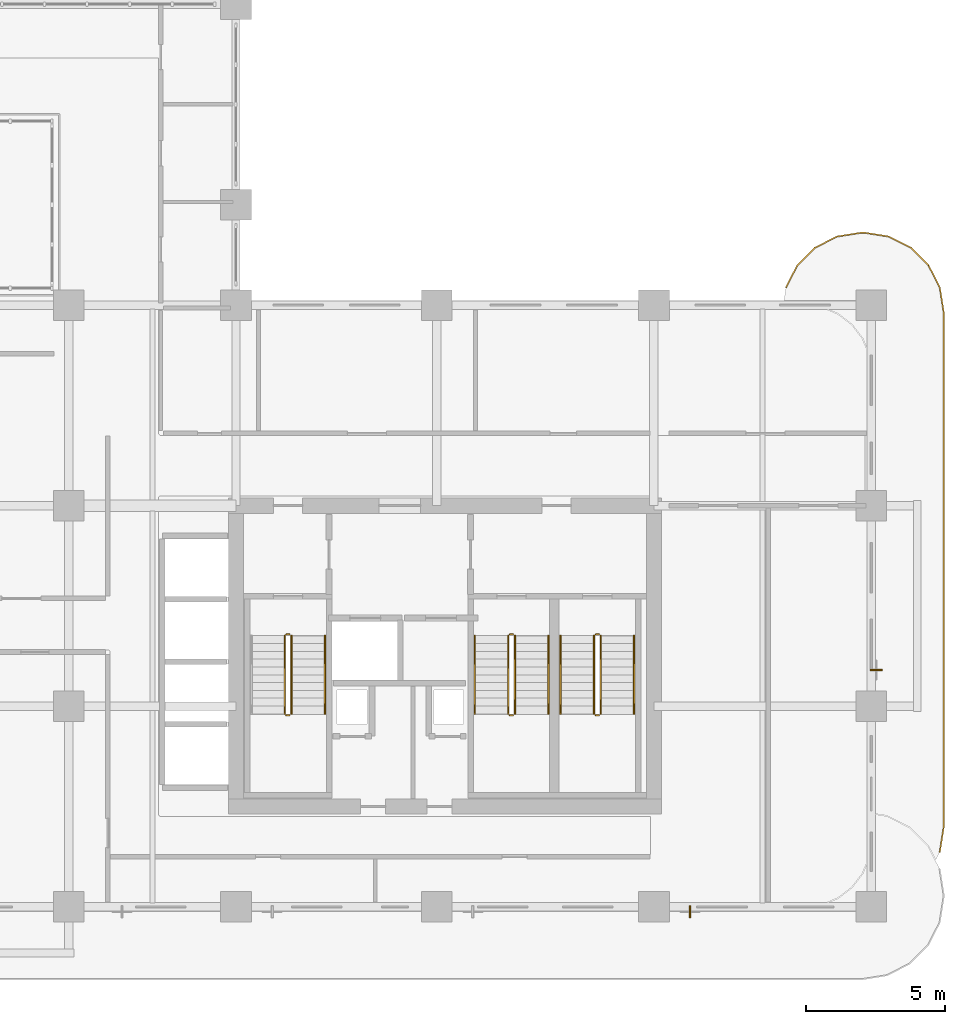
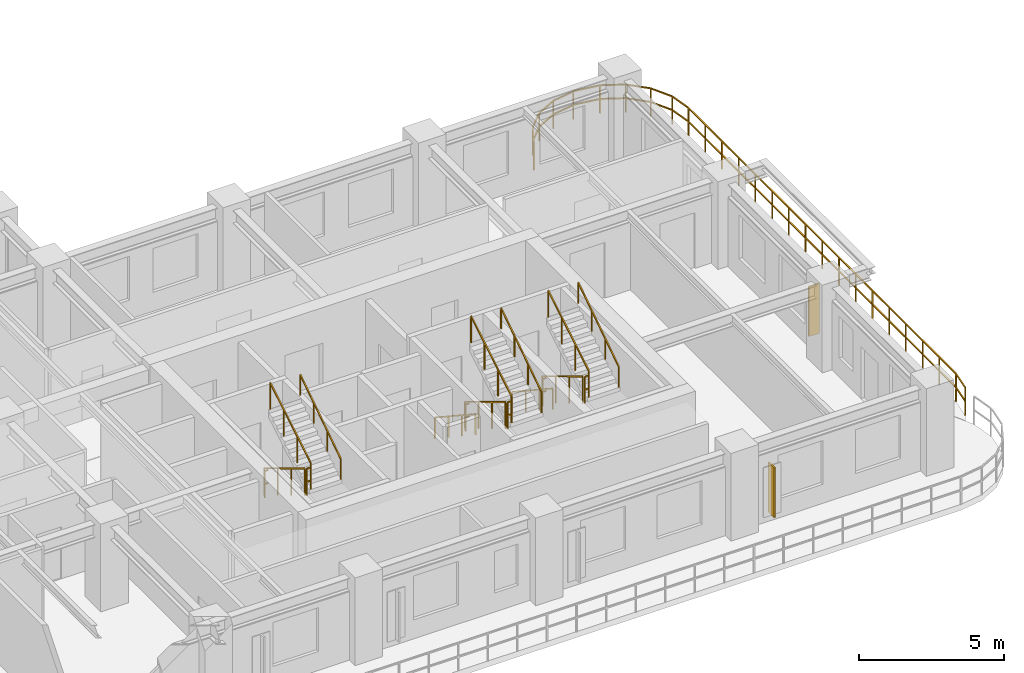
# One storey, part 20 of 22: 18 railings, 2 shading devices.
"""IFC4 building model written with IfcOpenShell, lengths in metres."""

from ifc_helpers import new_model, si_unit, derived_unit, direction, frame, origin, origin_2d, place, context, subcontext, project, spatial, rectangle, extrude, source, transform, mapped, material, layer, layer_set, type_object, type_shapes, element, save


model = new_model("IFC4")

# Units and contexts
model_context = context("Model", 3, precision=1e-05, world=origin(), true_north=direction((0.0, 1.0)))
body_context = subcontext(model_context, "Body", "Model", "MODEL_VIEW")
ifc_project = project(units=[si_unit("LENGTHUNIT", "METRE"), si_unit("AREAUNIT", "SQUARE_METRE"), si_unit("VOLUMEUNIT", "CUBIC_METRE"), si_unit("PLANEANGLEUNIT", "RADIAN"), si_unit("MASSUNIT", "GRAM", prefix="KILO"), si_unit("THERMODYNAMICTEMPERATUREUNIT", "KELVIN"), si_unit("POWERUNIT", "WATT"), derived_unit("THERMALTRANSMITTANCEUNIT", [(si_unit("POWERUNIT", "WATT"), 1), (si_unit("AREAUNIT", "SQUARE_METRE"), -1), (si_unit("THERMODYNAMICTEMPERATUREUNIT", "KELVIN"), -1)])], contexts=[model_context])

# Site, building, storey
site_placement = place(None, origin())
site = spatial("IfcSite", under=ifc_project, at=site_placement, CompositionType="ELEMENT")
building_placement = place(site_placement, origin())
building = spatial("IfcBuilding", under=site, at=building_placement, Name="Zahravan Archway Hotel and Residences", CompositionType="ELEMENT")
storey_placement = place(building_placement, frame((0.0, 0.0, 99.0)))
storey = spatial("IfcBuildingStorey", under=building, at=storey_placement, Name="L24", CompositionType="ELEMENT", Elevation=99.0)

# Railings
ifc_material_1 = material(Name="Bronze & Laminated Glass Balustrade", Category="glass")
railing_type_1 = type_object("IfcRailingType", Name="RL-BAL-1200", PredefinedType="BALUSTRADE", material=ifc_material_1)
railing_1_placement = place(storey_placement, frame((54.53955078125, 22.230712890625, 0.0)))
element("IfcRailing", 1, at=railing_1_placement, inside=storey, type_object=railing_type_1, Name="L24 Balustrade RL-SLB-BAL-L24-EA-1", PredefinedType="BALUSTRADE", context=body_context, shape_type="SweptSolid", body=[
    extrude(rectangle(XDim=0.048095703125, YDim=0.048095703125, at=origin_2d()), frame((0.0, 0.0, 1.17578125), z_axis=(0.453991409995, 0.891006060389, 0.0), x_axis=(-0.891006060389, 0.453991409995, 0.0)), (0.0, 0.0, 1.0), 0.8916015625),
    extrude(rectangle(XDim=0.048095703125, YDim=0.048095703125, at=origin_2d()), frame((0.0, 0.0, 0.60009765625), z_axis=(0.453991409995, 0.891006060389, 0.0), x_axis=(-0.891006060389, 0.453991409995, 0.0)), (0.0, 0.0, 1.0), 0.8916015625),
    extrude(rectangle(XDim=0.048095703125, YDim=0.048095703125, at=origin_2d()), frame((0.40478515625, 0.79443359375, 1.17578125), z_axis=(0.706969864397, 0.70724367147, 0.0), x_axis=(-0.70724367147, 0.706969864397, 0.0)), (0.0, 0.0, 1.0), 0.8916015625),
    extrude(rectangle(XDim=0.048095703125, YDim=0.048095703125, at=origin_2d()), frame((0.40478515625, 0.79443359375, 0.60009765625), z_axis=(0.706969864397, 0.70724367147, 0.0), x_axis=(-0.70724367147, 0.706969864397, 0.0)), (0.0, 0.0, 1.0), 0.8916015625),
    extrude(rectangle(XDim=0.048095703125, YDim=0.048095703125, at=origin_2d()), frame((1.03515625, 1.425048828125, 1.17578125), z_axis=(0.891062476022, 0.45388067135, 0.0), x_axis=(-0.45388067135, 0.891062476022, 0.0)), (0.0, 0.0, 1.0), 0.891845703125),
    extrude(rectangle(XDim=0.048095703125, YDim=0.048095703125, at=origin_2d()), frame((1.03515625, 1.425048828125, 0.60009765625), z_axis=(0.891062476022, 0.45388067135, 0.0), x_axis=(-0.45388067135, 0.891062476022, 0.0)), (0.0, 0.0, 1.0), 0.891845703125),
    extrude(rectangle(XDim=0.048095703125, YDim=0.048095703125, at=origin_2d()), frame((1.829833984375, 1.829833984375, 1.17578125), z_axis=(0.987700720307, 0.156356282588, 0.0), x_axis=(-0.156356282588, 0.987700720307, 0.0)), (0.0, 0.0, 1.0), 0.8916015625),
    extrude(rectangle(XDim=0.048095703125, YDim=0.048095703125, at=origin_2d()), frame((1.829833984375, 1.829833984375, 0.60009765625), z_axis=(0.987700720307, 0.156356282588, 0.0), x_axis=(-0.156356282588, 0.987700720307, 0.0)), (0.0, 0.0, 1.0), 0.8916015625),
    extrude(rectangle(XDim=0.048095703125, YDim=0.048095703125, at=origin_2d()), frame((2.71044921875, 1.96923828125, 1.17578125), z_axis=(1.0, 0.0, 0.0), x_axis=(0.0, 1.0, 0.0)), (0.0, 0.0, 1.0), 0.10009765625),
    extrude(rectangle(XDim=0.048095703125, YDim=0.048095703125, at=origin_2d()), frame((2.71044921875, 1.96923828125, 0.60009765625), z_axis=(1.0, 0.0, 0.0), x_axis=(0.0, 1.0, 0.0)), (0.0, 0.0, 1.0), 0.10009765625),
    extrude(rectangle(XDim=0.048095703125, YDim=0.048095703125, at=origin_2d()), frame((2.810546875, 1.96923828125, 1.17578125), z_axis=(0.987700720307, -0.156356282588, 0.0), x_axis=(0.156356282588, 0.987700720307, 0.0)), (0.0, 0.0, 1.0), 0.8916015625),
    extrude(rectangle(XDim=0.048095703125, YDim=0.048095703125, at=origin_2d()), frame((2.810546875, 1.96923828125, 0.60009765625), z_axis=(0.987700720307, -0.156356282588, 0.0), x_axis=(0.156356282588, 0.987700720307, 0.0)), (0.0, 0.0, 1.0), 0.8916015625),
    extrude(rectangle(XDim=0.048095703125, YDim=0.048095703125, at=origin_2d()), frame((3.691162109375, 1.829833984375, 1.17578125), z_axis=(0.891006060389, -0.453991409995, 0.0), x_axis=(0.453991409995, 0.891006060389, 0.0)), (0.0, 0.0, 1.0), 0.8916015625),
    extrude(rectangle(XDim=0.048095703125, YDim=0.048095703125, at=origin_2d()), frame((3.691162109375, 1.829833984375, 0.60009765625), z_axis=(0.891006060389, -0.453991409995, 0.0), x_axis=(0.453991409995, 0.891006060389, 0.0)), (0.0, 0.0, 1.0), 0.8916015625),
    extrude(rectangle(XDim=0.048095703125, YDim=0.048095703125, at=origin_2d()), frame((4.485595703125, 1.425048828125, 1.17578125), z_axis=(0.707106781187, -0.707106781187, 0.0), x_axis=(0.707106781187, 0.707106781187, 0.0)), (0.0, 0.0, 1.0), 0.891845703125),
    extrude(rectangle(XDim=0.048095703125, YDim=0.048095703125, at=origin_2d()), frame((4.485595703125, 1.425048828125, 0.60009765625), z_axis=(0.707106781187, -0.707106781187, 0.0), x_axis=(0.707106781187, 0.707106781187, 0.0)), (0.0, 0.0, 1.0), 0.891845703125),
    extrude(rectangle(XDim=0.048095703125, YDim=0.048095703125, at=origin_2d()), frame((5.1162109375, 0.79443359375, 1.17578125), z_axis=(0.453991409995, -0.891006060389, 0.0), x_axis=(0.891006060389, 0.453991409995, 0.0)), (0.0, 0.0, 1.0), 0.8916015625),
    extrude(rectangle(XDim=0.048095703125, YDim=0.048095703125, at=origin_2d()), frame((5.1162109375, 0.79443359375, 0.60009765625), z_axis=(0.453991409995, -0.891006060389, 0.0), x_axis=(0.891006060389, 0.453991409995, 0.0)), (0.0, 0.0, 1.0), 0.8916015625),
    extrude(rectangle(XDim=0.048095703125, YDim=0.048095703125, at=origin_2d()), frame((5.52099609375, 0.0, 1.17578125), z_axis=(0.156356282588, -0.987700720307, 0.0), x_axis=(0.987700720307, 0.156356282588, 0.0)), (0.0, 0.0, 1.0), 0.8916015625),
    extrude(rectangle(XDim=0.048095703125, YDim=0.048095703125, at=origin_2d()), frame((5.52099609375, 0.0, 0.60009765625), z_axis=(0.156356282588, -0.987700720307, 0.0), x_axis=(0.987700720307, 0.156356282588, 0.0)), (0.0, 0.0, 1.0), 0.8916015625),
    extrude(rectangle(XDim=0.048095703125, YDim=0.048095703125, at=origin_2d()), frame((5.660400390625, -0.880615234375, 1.17578125), z_axis=(0.0, -1.0, 0.0), x_axis=(1.0, 0.0, 0.0)), (0.0, 0.0, 1.0), 18.5),
    extrude(rectangle(XDim=0.048095703125, YDim=0.048095703125, at=origin_2d()), frame((5.660400390625, -0.880615234375, 0.60009765625), z_axis=(0.0, -1.0, 0.0), x_axis=(1.0, 0.0, 0.0)), (0.0, 0.0, 1.0), 18.5),
    extrude(rectangle(XDim=0.048095703125, YDim=0.048095703125, at=origin_2d()), frame((5.660400390625, -19.380615234375, 1.17578125), z_axis=(-0.156314005608, -0.987707411965, 0.0), x_axis=(0.987707411965, -0.156314005608, 0.0)), (0.0, 0.0, 1.0), 0.891845703125),
    extrude(rectangle(XDim=0.048095703125, YDim=0.048095703125, at=origin_2d()), frame((5.660400390625, -19.380615234375, 0.60009765625), z_axis=(-0.156314005608, -0.987707411965, 0.0), x_axis=(0.987707411965, -0.156314005608, 0.0)), (0.0, 0.0, 1.0), 0.891845703125),
    extrude(rectangle(XDim=0.0419921875, YDim=0.0419921875, at=origin_2d()), origin(), (0.0, 0.0, 1.0), 1.15185546875),
    extrude(rectangle(XDim=0.0419921875, YDim=0.0419921875, at=origin_2d()), frame((0.40478515625, 0.79443359375, 0.0)), (0.0, 0.0, 1.0), 1.15185546875),
    extrude(rectangle(XDim=0.0419921875, YDim=0.0419921875, at=origin_2d()), frame((1.03515625, 1.425048828125, 0.0)), (0.0, 0.0, 1.0), 1.15185546875),
    extrude(rectangle(XDim=0.0419921875, YDim=0.0419921875, at=origin_2d()), frame((1.829833984375, 1.829833984375, 0.0)), (0.0, 0.0, 1.0), 1.15185546875),
    extrude(rectangle(XDim=0.0419921875, YDim=0.0419921875, at=origin_2d()), frame((2.71044921875, 1.96923828125, 0.0)), (0.0, 0.0, 1.0), 1.15185546875),
    extrude(rectangle(XDim=0.0419921875, YDim=0.0419921875, at=origin_2d()), frame((3.691162109375, 1.829833984375, 0.0)), (0.0, 0.0, 1.0), 1.15185546875),
    extrude(rectangle(XDim=0.0419921875, YDim=0.0419921875, at=origin_2d()), frame((4.485595703125, 1.425048828125, 0.0)), (0.0, 0.0, 1.0), 1.15185546875),
    extrude(rectangle(XDim=0.0419921875, YDim=0.0419921875, at=origin_2d()), frame((5.1162109375, 0.79443359375, 0.0)), (0.0, 0.0, 1.0), 1.15185546875),
    extrude(rectangle(XDim=0.0419921875, YDim=0.0419921875, at=origin_2d()), frame((5.52099609375, 0.0, 0.0)), (0.0, 0.0, 1.0), 1.15185546875),
    extrude(rectangle(XDim=0.0419921875, YDim=0.0419921875, at=origin_2d()), frame((5.660400390625, -0.880615234375, 0.0)), (0.0, 0.0, 1.0), 1.15185546875),
    extrude(rectangle(XDim=0.0419921875, YDim=0.0419921875, at=origin_2d()), frame((5.660400390625, -2.036865234375, 0.0)), (0.0, 0.0, 1.0), 1.15185546875),
    extrude(rectangle(XDim=0.0419921875, YDim=0.0419921875, at=origin_2d()), frame((5.660400390625, -3.193115234375, 0.0)), (0.0, 0.0, 1.0), 1.15185546875),
    extrude(rectangle(XDim=0.0419921875, YDim=0.0419921875, at=origin_2d()), frame((5.660400390625, -4.349365234375, 0.0)), (0.0, 0.0, 1.0), 1.15185546875),
    extrude(rectangle(XDim=0.0419921875, YDim=0.0419921875, at=origin_2d()), frame((5.660400390625, -5.505615234375, 0.0)), (0.0, 0.0, 1.0), 1.15185546875),
    extrude(rectangle(XDim=0.0419921875, YDim=0.0419921875, at=origin_2d()), frame((5.660400390625, -6.661865234375, 0.0)), (0.0, 0.0, 1.0), 1.15185546875),
    extrude(rectangle(XDim=0.0419921875, YDim=0.0419921875, at=origin_2d()), frame((5.660400390625, -7.818115234375, 0.0)), (0.0, 0.0, 1.0), 1.15185546875),
    extrude(rectangle(XDim=0.0419921875, YDim=0.0419921875, at=origin_2d()), frame((5.660400390625, -8.974365234375, 0.0)), (0.0, 0.0, 1.0), 1.15185546875),
    extrude(rectangle(XDim=0.0419921875, YDim=0.0419921875, at=origin_2d()), frame((5.660400390625, -10.130615234375, 0.0)), (0.0, 0.0, 1.0), 1.15185546875),
    extrude(rectangle(XDim=0.0419921875, YDim=0.0419921875, at=origin_2d()), frame((5.660400390625, -11.286865234375, 0.0)), (0.0, 0.0, 1.0), 1.15185546875),
    extrude(rectangle(XDim=0.0419921875, YDim=0.0419921875, at=origin_2d()), frame((5.660400390625, -12.443115234375, 0.0)), (0.0, 0.0, 1.0), 1.15185546875),
    extrude(rectangle(XDim=0.0419921875, YDim=0.0419921875, at=origin_2d()), frame((5.660400390625, -13.599365234375, 0.0)), (0.0, 0.0, 1.0), 1.15185546875),
    extrude(rectangle(XDim=0.0419921875, YDim=0.0419921875, at=origin_2d()), frame((5.660400390625, -14.755615234375, 0.0)), (0.0, 0.0, 1.0), 1.15185546875),
    extrude(rectangle(XDim=0.0419921875, YDim=0.0419921875, at=origin_2d()), frame((5.660400390625, -15.911865234375, 0.0)), (0.0, 0.0, 1.0), 1.15185546875),
    extrude(rectangle(XDim=0.0419921875, YDim=0.0419921875, at=origin_2d()), frame((5.660400390625, -17.068115234375, 0.0)), (0.0, 0.0, 1.0), 1.15185546875),
    extrude(rectangle(XDim=0.0419921875, YDim=0.0419921875, at=origin_2d()), frame((5.660400390625, -18.224365234375, 0.0)), (0.0, 0.0, 1.0), 1.15185546875),
    extrude(rectangle(XDim=0.0419921875, YDim=0.0419921875, at=origin_2d()), frame((5.660400390625, -19.380615234375, 0.0)), (0.0, 0.0, 1.0), 1.15185546875),
    extrude(rectangle(XDim=0.0419921875, YDim=0.0419921875, at=origin_2d()), frame((5.52099609375, -20.261474609375, 0.0)), (0.0, 0.0, 1.0), 1.15185546875),
])
ifc_material_2 = material(Name="Painted Tubular Steel", Category="steel")
railing_type_2 = type_object("IfcRailingType", Name="RL-STG-1150", PredefinedType="GUARDRAIL", material=ifc_material_2)
railing_2_placement = place(storey_placement, frame((36.550048828125, 9.72998046875, 0.168212890625)))
element("IfcRailing", 2, at=railing_2_placement, inside=storey, type_object=railing_type_2, Name="L24 ST-A1 stair guard 1", PredefinedType="GUARDRAIL", context=body_context, shape_type="SweptSolid", body=[
    extrude(rectangle(XDim=0.048095703125, YDim=0.048095703125, at=origin_2d()), frame((0.0, 0.0, 1.1259765625), z_axis=(0.0, -0.857242210791, 0.514913383045), x_axis=(1.0, 0.0, 0.0)), (0.0, 0.0, 1.0), 3.266357421875),
    extrude(rectangle(XDim=0.0419921875, YDim=0.0419921875, at=origin_2d()), origin(), (0.0, 0.0, 1.0), 1.101806640625),
    extrude(rectangle(XDim=0.0419921875, YDim=0.0419921875, at=origin_2d()), frame((0.0, -0.933349609375, 0.560546875)), (0.0, 0.0, 1.0), 1.101806640625),
    extrude(rectangle(XDim=0.0419921875, YDim=0.0419921875, at=origin_2d()), frame((0.0, -1.86669921875, 1.121337890625)), (0.0, 0.0, 1.0), 1.101806640625),
    extrude(rectangle(XDim=0.0419921875, YDim=0.0419921875, at=origin_2d()), frame((0.0, -2.800048828125, 1.681884765625)), (0.0, 0.0, 1.0), 1.101806640625),
])
railing_3_placement = place(storey_placement, frame((36.60009765625, 6.8798828125, 1.85009765625)))
element("IfcRailing", 3, at=railing_3_placement, inside=storey, type_object=railing_type_2, Name="L24 ST-A1 stair guard 2", PredefinedType="GUARDRAIL", context=body_context, shape_type="SweptSolid", body=[
    extrude(rectangle(XDim=0.048095703125, YDim=0.048095703125, at=origin_2d()), frame((0.0, 0.0, 1.1259765625), z_axis=(1.0, 0.0, 0.0), x_axis=(0.0, 1.0, 0.0)), (0.0, 0.0, 1.0), 0.139892578125),
    extrude(rectangle(XDim=0.048095703125, YDim=0.048095703125, at=origin_2d()), frame((0.0, 0.0, 0.574951171875), z_axis=(1.0, 0.0, 0.0), x_axis=(0.0, 1.0, 0.0)), (0.0, 0.0, 1.0), 0.139892578125),
    extrude(rectangle(XDim=0.0419921875, YDim=0.0419921875, at=origin_2d()), origin(), (0.0, 0.0, 1.0), 1.101806640625),
])
railing_4_placement = place(storey_placement, frame((36.7900390625, 6.929931640625, 2.01806640625)))
element("IfcRailing", 4, at=railing_4_placement, inside=storey, type_object=railing_type_2, Name="L24 ST-A1 stair guard 3", PredefinedType="GUARDRAIL", context=body_context, shape_type="SweptSolid", body=[
    extrude(rectangle(XDim=0.048095703125, YDim=0.048095703125, at=origin_2d()), frame((0.0, 0.0, 1.1259765625), z_axis=(0.0, 0.857242210791, 0.514913383045), x_axis=(-1.0, 0.0, 0.0)), (0.0, 0.0, 1.0), 3.266357421875),
    extrude(rectangle(XDim=0.0419921875, YDim=0.0419921875, at=origin_2d()), origin(), (0.0, 0.0, 1.0), 1.101806640625),
    extrude(rectangle(XDim=0.0419921875, YDim=0.0419921875, at=origin_2d()), frame((0.0, 0.933349609375, 0.560546875)), (0.0, 0.0, 1.0), 1.101806640625),
    extrude(rectangle(XDim=0.0419921875, YDim=0.0419921875, at=origin_2d()), frame((0.0, 1.86669921875, 1.121337890625)), (0.0, 0.0, 1.0), 1.101806640625),
    extrude(rectangle(XDim=0.0419921875, YDim=0.0419921875, at=origin_2d()), frame((0.0, 2.800048828125, 1.681884765625)), (0.0, 0.0, 1.0), 1.101806640625),
])
railing_5_placement = place(storey_placement, frame((36.60009765625, 9.780029296875, 0.0)))
element("IfcRailing", 5, at=railing_5_placement, inside=storey, type_object=railing_type_2, Name="L24 ST-A1 stair guard 4", PredefinedType="GUARDRAIL", context=body_context, shape_type="SweptSolid", body=[
    extrude(rectangle(XDim=0.048095703125, YDim=0.048095703125, at=origin_2d()), frame((0.0, 0.0, 1.1259765625), z_axis=(1.0, 0.0, 0.0), x_axis=(0.0, 1.0, 0.0)), (0.0, 0.0, 1.0), 0.139892578125),
    extrude(rectangle(XDim=0.048095703125, YDim=0.048095703125, at=origin_2d()), frame((0.0, 0.0, 0.574951171875), z_axis=(1.0, 0.0, 0.0), x_axis=(0.0, 1.0, 0.0)), (0.0, 0.0, 1.0), 0.139892578125),
    extrude(rectangle(XDim=0.0419921875, YDim=0.0419921875, at=origin_2d()), origin(), (0.0, 0.0, 1.0), 1.101806640625),
])
railing_6_placement = place(storey_placement, frame((44.570068359375, 9.72998046875, 0.168212890625)))
element("IfcRailing", 6, at=railing_6_placement, inside=storey, type_object=railing_type_2, Name="L24 ST-A2 stair guard 1", PredefinedType="GUARDRAIL", context=body_context, shape_type="SweptSolid", body=[
    extrude(rectangle(XDim=0.048095703125, YDim=0.048095703125, at=origin_2d()), frame((0.0, 0.0, 1.1259765625), z_axis=(0.0, -0.857242210791, 0.514913383045), x_axis=(1.0, 0.0, 0.0)), (0.0, 0.0, 1.0), 3.266357421875),
    extrude(rectangle(XDim=0.0419921875, YDim=0.0419921875, at=origin_2d()), origin(), (0.0, 0.0, 1.0), 1.101806640625),
    extrude(rectangle(XDim=0.0419921875, YDim=0.0419921875, at=origin_2d()), frame((0.0, -0.933349609375, 0.560546875)), (0.0, 0.0, 1.0), 1.101806640625),
    extrude(rectangle(XDim=0.0419921875, YDim=0.0419921875, at=origin_2d()), frame((0.0, -1.86669921875, 1.121337890625)), (0.0, 0.0, 1.0), 1.101806640625),
    extrude(rectangle(XDim=0.0419921875, YDim=0.0419921875, at=origin_2d()), frame((0.0, -2.800048828125, 1.681884765625)), (0.0, 0.0, 1.0), 1.101806640625),
])
railing_7_placement = place(storey_placement, frame((44.6201171875, 6.8798828125, 1.85009765625)))
element("IfcRailing", 7, at=railing_7_placement, inside=storey, type_object=railing_type_2, Name="L24 ST-A2 stair guard 2", PredefinedType="GUARDRAIL", context=body_context, shape_type="SweptSolid", body=[
    extrude(rectangle(XDim=0.048095703125, YDim=0.048095703125, at=origin_2d()), frame((0.0, 0.0, 1.1259765625), z_axis=(1.0, 0.0, 0.0), x_axis=(0.0, 1.0, 0.0)), (0.0, 0.0, 1.0), 0.139892578125),
    extrude(rectangle(XDim=0.048095703125, YDim=0.048095703125, at=origin_2d()), frame((0.0, 0.0, 0.574951171875), z_axis=(1.0, 0.0, 0.0), x_axis=(0.0, 1.0, 0.0)), (0.0, 0.0, 1.0), 0.139892578125),
    extrude(rectangle(XDim=0.0419921875, YDim=0.0419921875, at=origin_2d()), origin(), (0.0, 0.0, 1.0), 1.101806640625),
])
railing_8_placement = place(storey_placement, frame((44.81005859375, 6.929931640625, 2.01806640625)))
element("IfcRailing", 8, at=railing_8_placement, inside=storey, type_object=railing_type_2, Name="L24 ST-A2 stair guard 3", PredefinedType="GUARDRAIL", context=body_context, shape_type="SweptSolid", body=[
    extrude(rectangle(XDim=0.048095703125, YDim=0.048095703125, at=origin_2d()), frame((0.0, 0.0, 1.1259765625), z_axis=(0.0, 0.857242210791, 0.514913383045), x_axis=(-1.0, 0.0, 0.0)), (0.0, 0.0, 1.0), 3.266357421875),
    extrude(rectangle(XDim=0.0419921875, YDim=0.0419921875, at=origin_2d()), origin(), (0.0, 0.0, 1.0), 1.101806640625),
    extrude(rectangle(XDim=0.0419921875, YDim=0.0419921875, at=origin_2d()), frame((0.0, 0.933349609375, 0.560546875)), (0.0, 0.0, 1.0), 1.101806640625),
    extrude(rectangle(XDim=0.0419921875, YDim=0.0419921875, at=origin_2d()), frame((0.0, 1.86669921875, 1.121337890625)), (0.0, 0.0, 1.0), 1.101806640625),
    extrude(rectangle(XDim=0.0419921875, YDim=0.0419921875, at=origin_2d()), frame((0.0, 2.800048828125, 1.681884765625)), (0.0, 0.0, 1.0), 1.101806640625),
])
railing_9_placement = place(storey_placement, frame((44.6201171875, 9.780029296875, 0.0)))
element("IfcRailing", 9, at=railing_9_placement, inside=storey, type_object=railing_type_2, Name="L24 ST-A2 stair guard 4", PredefinedType="GUARDRAIL", context=body_context, shape_type="SweptSolid", body=[
    extrude(rectangle(XDim=0.048095703125, YDim=0.048095703125, at=origin_2d()), frame((0.0, 0.0, 1.1259765625), z_axis=(1.0, 0.0, 0.0), x_axis=(0.0, 1.0, 0.0)), (0.0, 0.0, 1.0), 0.139892578125),
    extrude(rectangle(XDim=0.048095703125, YDim=0.048095703125, at=origin_2d()), frame((0.0, 0.0, 0.574951171875), z_axis=(1.0, 0.0, 0.0), x_axis=(0.0, 1.0, 0.0)), (0.0, 0.0, 1.0), 0.139892578125),
    extrude(rectangle(XDim=0.0419921875, YDim=0.0419921875, at=origin_2d()), origin(), (0.0, 0.0, 1.0), 1.101806640625),
])
railing_10_placement = place(storey_placement, frame((47.64990234375, 9.72998046875, 0.168212890625)))
element("IfcRailing", 10, at=railing_10_placement, inside=storey, type_object=railing_type_2, Name="L24 ST-A3 stair guard 1", PredefinedType="GUARDRAIL", context=body_context, shape_type="SweptSolid", body=[
    extrude(rectangle(XDim=0.048095703125, YDim=0.048095703125, at=origin_2d()), frame((0.0, 0.0, 1.1259765625), z_axis=(0.0, -0.857242210791, 0.514913383045), x_axis=(1.0, 0.0, 0.0)), (0.0, 0.0, 1.0), 3.266357421875),
    extrude(rectangle(XDim=0.0419921875, YDim=0.0419921875, at=origin_2d()), origin(), (0.0, 0.0, 1.0), 1.101806640625),
    extrude(rectangle(XDim=0.0419921875, YDim=0.0419921875, at=origin_2d()), frame((0.0, -0.933349609375, 0.560546875)), (0.0, 0.0, 1.0), 1.101806640625),
    extrude(rectangle(XDim=0.0419921875, YDim=0.0419921875, at=origin_2d()), frame((0.0, -1.86669921875, 1.121337890625)), (0.0, 0.0, 1.0), 1.101806640625),
    extrude(rectangle(XDim=0.0419921875, YDim=0.0419921875, at=origin_2d()), frame((0.0, -2.800048828125, 1.681884765625)), (0.0, 0.0, 1.0), 1.101806640625),
])
railing_11_placement = place(storey_placement, frame((47.699951171875, 6.8798828125, 1.85009765625)))
element("IfcRailing", 11, at=railing_11_placement, inside=storey, type_object=railing_type_2, Name="L24 ST-A3 stair guard 2", PredefinedType="GUARDRAIL", context=body_context, shape_type="SweptSolid", body=[
    extrude(rectangle(XDim=0.048095703125, YDim=0.048095703125, at=origin_2d()), frame((0.0, 0.0, 1.1259765625), z_axis=(1.0, 0.0, 0.0), x_axis=(0.0, 1.0, 0.0)), (0.0, 0.0, 1.0), 0.14013671875),
    extrude(rectangle(XDim=0.048095703125, YDim=0.048095703125, at=origin_2d()), frame((0.0, 0.0, 0.574951171875), z_axis=(1.0, 0.0, 0.0), x_axis=(0.0, 1.0, 0.0)), (0.0, 0.0, 1.0), 0.14013671875),
    extrude(rectangle(XDim=0.0419921875, YDim=0.0419921875, at=origin_2d()), origin(), (0.0, 0.0, 1.0), 1.101806640625),
])
railing_12_placement = place(storey_placement, frame((47.889892578125, 6.929931640625, 2.01806640625)))
element("IfcRailing", 12, at=railing_12_placement, inside=storey, type_object=railing_type_2, Name="L24 ST-A3 stair guard 3", PredefinedType="GUARDRAIL", context=body_context, shape_type="SweptSolid", body=[
    extrude(rectangle(XDim=0.048095703125, YDim=0.048095703125, at=origin_2d()), frame((0.0, 0.0, 1.1259765625), z_axis=(0.0, 0.857242210791, 0.514913383045), x_axis=(-1.0, 0.0, 0.0)), (0.0, 0.0, 1.0), 3.266357421875),
    extrude(rectangle(XDim=0.0419921875, YDim=0.0419921875, at=origin_2d()), origin(), (0.0, 0.0, 1.0), 1.101806640625),
    extrude(rectangle(XDim=0.0419921875, YDim=0.0419921875, at=origin_2d()), frame((0.0, 0.933349609375, 0.560546875)), (0.0, 0.0, 1.0), 1.101806640625),
    extrude(rectangle(XDim=0.0419921875, YDim=0.0419921875, at=origin_2d()), frame((0.0, 1.86669921875, 1.121337890625)), (0.0, 0.0, 1.0), 1.101806640625),
    extrude(rectangle(XDim=0.0419921875, YDim=0.0419921875, at=origin_2d()), frame((0.0, 2.800048828125, 1.681884765625)), (0.0, 0.0, 1.0), 1.101806640625),
])
railing_13_placement = place(storey_placement, frame((47.699951171875, 9.780029296875, 0.0)))
element("IfcRailing", 13, at=railing_13_placement, inside=storey, type_object=railing_type_2, Name="L24 ST-A3 stair guard 4", PredefinedType="GUARDRAIL", context=body_context, shape_type="SweptSolid", body=[
    extrude(rectangle(XDim=0.048095703125, YDim=0.048095703125, at=origin_2d()), frame((0.0, 0.0, 1.1259765625), z_axis=(1.0, 0.0, 0.0), x_axis=(0.0, 1.0, 0.0)), (0.0, 0.0, 1.0), 0.14013671875),
    extrude(rectangle(XDim=0.048095703125, YDim=0.048095703125, at=origin_2d()), frame((0.0, 0.0, 0.574951171875), z_axis=(1.0, 0.0, 0.0), x_axis=(0.0, 1.0, 0.0)), (0.0, 0.0, 1.0), 0.14013671875),
    extrude(rectangle(XDim=0.0419921875, YDim=0.0419921875, at=origin_2d()), origin(), (0.0, 0.0, 1.0), 1.101806640625),
])
ifc_material_3 = material(Name="Brushed Stainless Steel", Category="steel")
railing_type_3 = type_object("IfcRailingType", Name="RL-STH-900", PredefinedType="HANDRAIL", material=ifc_material_3)
railing_14_placement = place(storey_placement, frame((37.989990234375, 6.929931640625, 2.01806640625)))
element("IfcRailing", 14, at=railing_14_placement, inside=storey, type_object=railing_type_3, Name="L24 ST-A1 stair handrail 2", PredefinedType="HANDRAIL", context=body_context, shape_type="SweptSolid", body=[
    extrude(rectangle(XDim=0.048095703125, YDim=0.048095703125, at=origin_2d()), frame((0.0, 0.0, 0.8759765625), z_axis=(0.0, 0.834326358476, 0.551270829586), x_axis=(-1.0, 0.0, 0.0)), (0.0, 0.0, 1.0), 3.35595703125),
    extrude(rectangle(XDim=0.0419921875, YDim=0.0419921875, at=origin_2d()), origin(), (0.0, 0.0, 1.0), 0.851806640625),
    extrude(rectangle(XDim=0.0419921875, YDim=0.0419921875, at=origin_2d()), frame((0.0, 0.933349609375, 0.61669921875)), (0.0, 0.0, 1.0), 0.851806640625),
    extrude(rectangle(XDim=0.0419921875, YDim=0.0419921875, at=origin_2d()), frame((0.0, 1.86669921875, 1.2333984375)), (0.0, 0.0, 1.0), 0.851806640625),
    extrude(rectangle(XDim=0.0419921875, YDim=0.0419921875, at=origin_2d()), frame((0.0, 2.800048828125, 1.85009765625)), (0.0, 0.0, 1.0), 0.851806640625),
])
railing_15_placement = place(storey_placement, frame((43.3701171875, 9.72998046875, 0.168212890625)))
element("IfcRailing", 15, at=railing_15_placement, inside=storey, type_object=railing_type_3, Name="L24 ST-A2 stair handrail 1", PredefinedType="HANDRAIL", context=body_context, shape_type="SweptSolid", body=[
    extrude(rectangle(XDim=0.048095703125, YDim=0.048095703125, at=origin_2d()), frame((0.0, 0.0, 0.8759765625), z_axis=(0.0, -0.83435981716, 0.551220187865), x_axis=(1.0, 0.0, 0.0)), (0.0, 0.0, 1.0), 3.35595703125),
    extrude(rectangle(XDim=0.0419921875, YDim=0.0419921875, at=origin_2d()), origin(), (0.0, 0.0, 1.0), 0.851806640625),
    extrude(rectangle(XDim=0.0419921875, YDim=0.0419921875, at=origin_2d()), frame((0.0, -0.933349609375, 0.61669921875)), (0.0, 0.0, 1.0), 0.851806640625),
    extrude(rectangle(XDim=0.0419921875, YDim=0.0419921875, at=origin_2d()), frame((0.0, -1.86669921875, 1.233154296875)), (0.0, 0.0, 1.0), 0.851806640625),
    extrude(rectangle(XDim=0.0419921875, YDim=0.0419921875, at=origin_2d()), frame((0.0, -2.800048828125, 1.849853515625)), (0.0, 0.0, 1.0), 0.851806640625),
])
railing_16_placement = place(storey_placement, frame((46.010009765625, 6.929931640625, 2.01806640625)))
element("IfcRailing", 16, at=railing_16_placement, inside=storey, type_object=railing_type_3, Name="L24 ST-A2 stair handrail 2", PredefinedType="HANDRAIL", context=body_context, shape_type="SweptSolid", body=[
    extrude(rectangle(XDim=0.048095703125, YDim=0.048095703125, at=origin_2d()), frame((0.0, 0.0, 0.8759765625), z_axis=(0.0, 0.834326358476, 0.551270829586), x_axis=(-1.0, 0.0, 0.0)), (0.0, 0.0, 1.0), 3.35595703125),
    extrude(rectangle(XDim=0.0419921875, YDim=0.0419921875, at=origin_2d()), origin(), (0.0, 0.0, 1.0), 0.851806640625),
    extrude(rectangle(XDim=0.0419921875, YDim=0.0419921875, at=origin_2d()), frame((0.0, 0.933349609375, 0.61669921875)), (0.0, 0.0, 1.0), 0.851806640625),
    extrude(rectangle(XDim=0.0419921875, YDim=0.0419921875, at=origin_2d()), frame((0.0, 1.86669921875, 1.2333984375)), (0.0, 0.0, 1.0), 0.851806640625),
    extrude(rectangle(XDim=0.0419921875, YDim=0.0419921875, at=origin_2d()), frame((0.0, 2.800048828125, 1.85009765625)), (0.0, 0.0, 1.0), 0.851806640625),
])
railing_17_placement = place(storey_placement, frame((46.449951171875, 9.72998046875, 0.168212890625)))
element("IfcRailing", 17, at=railing_17_placement, inside=storey, type_object=railing_type_3, Name="L24 ST-A3 stair handrail 1", PredefinedType="HANDRAIL", context=body_context, shape_type="SweptSolid", body=[
    extrude(rectangle(XDim=0.048095703125, YDim=0.048095703125, at=origin_2d()), frame((0.0, 0.0, 0.8759765625), z_axis=(0.0, -0.83435981716, 0.551220187865), x_axis=(1.0, 0.0, 0.0)), (0.0, 0.0, 1.0), 3.35595703125),
    extrude(rectangle(XDim=0.0419921875, YDim=0.0419921875, at=origin_2d()), origin(), (0.0, 0.0, 1.0), 0.851806640625),
    extrude(rectangle(XDim=0.0419921875, YDim=0.0419921875, at=origin_2d()), frame((0.0, -0.933349609375, 0.61669921875)), (0.0, 0.0, 1.0), 0.851806640625),
    extrude(rectangle(XDim=0.0419921875, YDim=0.0419921875, at=origin_2d()), frame((0.0, -1.86669921875, 1.233154296875)), (0.0, 0.0, 1.0), 0.851806640625),
    extrude(rectangle(XDim=0.0419921875, YDim=0.0419921875, at=origin_2d()), frame((0.0, -2.800048828125, 1.849853515625)), (0.0, 0.0, 1.0), 0.851806640625),
])
railing_18_placement = place(storey_placement, frame((49.090087890625, 6.929931640625, 2.01806640625)))
element("IfcRailing", 18, at=railing_18_placement, inside=storey, type_object=railing_type_3, Name="L24 ST-A3 stair handrail 2", PredefinedType="HANDRAIL", context=body_context, shape_type="SweptSolid", body=[
    extrude(rectangle(XDim=0.048095703125, YDim=0.048095703125, at=origin_2d()), frame((0.0, 0.0, 0.8759765625), z_axis=(0.0, 0.834326358476, 0.551270829586), x_axis=(-1.0, 0.0, 0.0)), (0.0, 0.0, 1.0), 3.35595703125),
    extrude(rectangle(XDim=0.0419921875, YDim=0.0419921875, at=origin_2d()), origin(), (0.0, 0.0, 1.0), 0.851806640625),
    extrude(rectangle(XDim=0.0419921875, YDim=0.0419921875, at=origin_2d()), frame((0.0, 0.933349609375, 0.61669921875)), (0.0, 0.0, 1.0), 0.851806640625),
    extrude(rectangle(XDim=0.0419921875, YDim=0.0419921875, at=origin_2d()), frame((0.0, 1.86669921875, 1.2333984375)), (0.0, 0.0, 1.0), 0.851806640625),
    extrude(rectangle(XDim=0.0419921875, YDim=0.0419921875, at=origin_2d()), frame((0.0, 2.800048828125, 1.85009765625)), (0.0, 0.0, 1.0), 0.851806640625),
])

# Shading devices
ifc_material_4 = material(Name="Terracotta & Bronze Solar Brise-Soleil", Category="masonry")
ifc_layer = layer(ifc_material_4, 0.06005859375, Name="Terracotta & Bronze Solar Brise-Soleil", Category="masonry")
ifc_layer_set = layer_set([ifc_layer], Name="Terracotta & Bronze Solar Brise-Soleil")
shading_device_type = type_object("IfcShadingDeviceType", Name="SHD-MASH-FIN", PredefinedType="JALOUSIE", material=ifc_layer_set)
shared_shape = source(origin(), body_context, "Body", "SweptSolid", [
    extrude(rectangle(XDim=0.06005859375, YDim=0.419921875, at=origin_2d()), origin(), (0.0, 0.0, 1.0), 2.10009765625),
])
type_shapes(shading_device_type, [shared_shape])
for number, where, z_axis, x_axis, name in (
    (19, (51.10009765625, -0.177978515625, 0.25), (0.0, 0.0, 1.0), (1.0, 0.0, 0.0), "L24 Solar Mashrabiya Fin 05"),
    (20, (57.778076171875, 8.5, 0.25), (0.0, 0.0, 1.0), (0.0, 1.0, 0.0), "L24 Solar Mashrabiya Fin 06"),
):
    element("IfcShadingDevice", number, at=place(storey_placement, frame(where, z_axis=z_axis, x_axis=x_axis)), inside=storey, type_object=shading_device_type, Name=name, PredefinedType="JALOUSIE", context=body_context, shape_type="MappedRepresentation", body=[
        mapped(shared_shape, transform((0.0, 0.0, 0.0), scale=1.0)),
    ])

save(model, "model.ifc")
